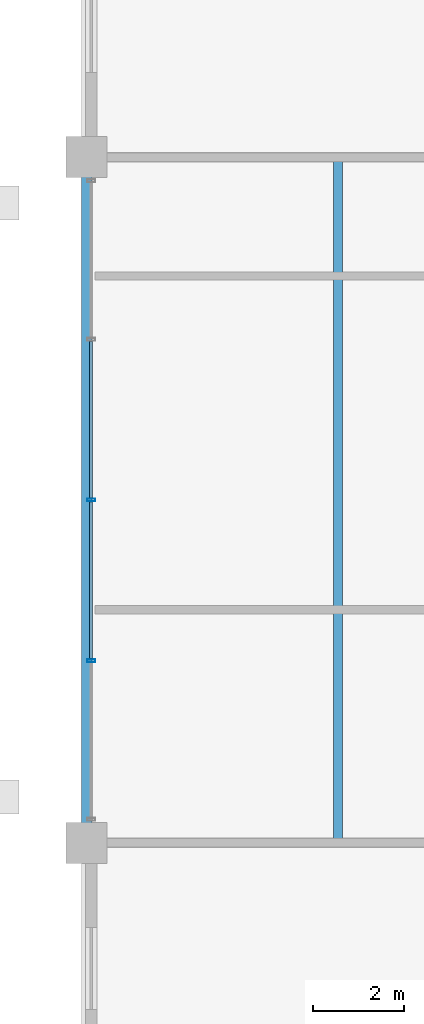
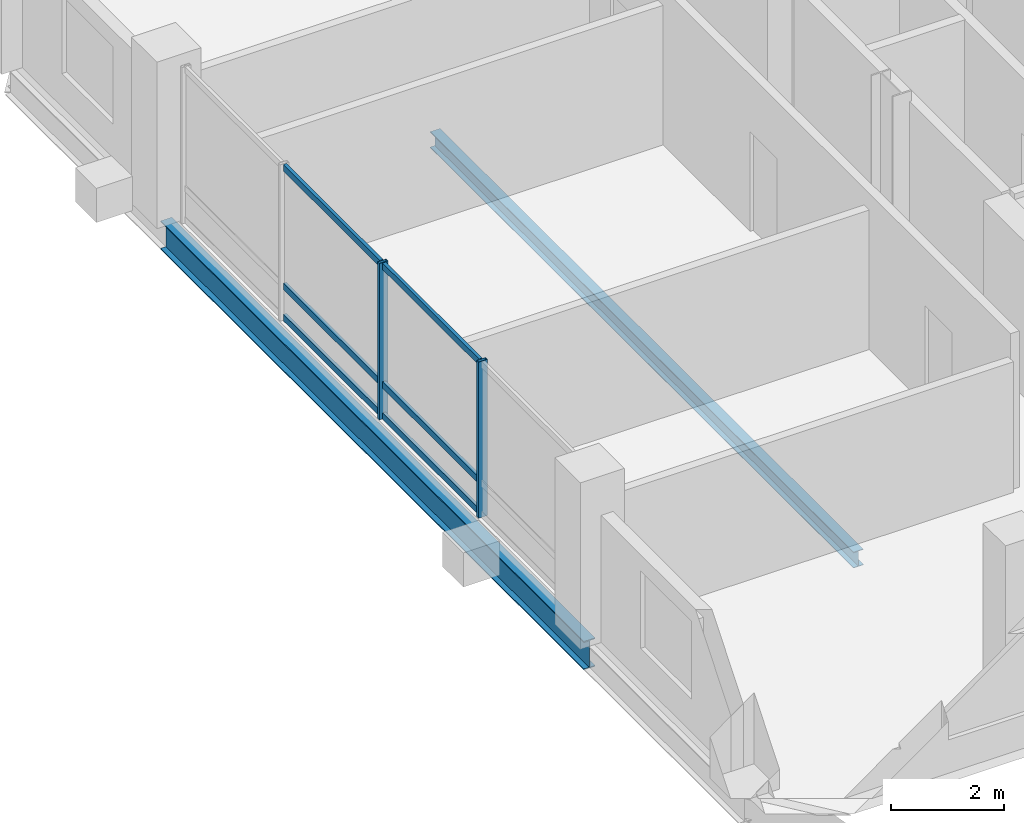
# One storey, part 6 of 21: 8 members, 2 beams, 1 element without a shape of its own.
"""IFC4 building model written with IfcOpenShell, lengths in metres."""

from ifc_helpers import new_model, si_unit, direction, frame, origin, origin_2d, place, context, subcontext, project, spatial, hollow_rectangle, i_section, extrude, material, layer, layer_set, material_profile, profile_set, type_object, element, aggregate, save


model = new_model("IFC4")

# Units and contexts
model_context = context("Model", 3, precision=1e-05, world=origin(), true_north=direction((0.0, 1.0)))
body_context = subcontext(model_context, "Body", "Model", "MODEL_VIEW")
ifc_project = project(units=[si_unit("LENGTHUNIT", "METRE"), si_unit("AREAUNIT", "SQUARE_METRE"), si_unit("VOLUMEUNIT", "CUBIC_METRE"), si_unit("PLANEANGLEUNIT", "RADIAN"), si_unit("MASSUNIT", "GRAM", prefix="KILO")], contexts=[model_context])

# Site, building, storey
site_placement = place(None, origin())
site = spatial("IfcSite", under=ifc_project, at=site_placement, CompositionType="ELEMENT")
building_placement = place(site_placement, origin())
building = spatial("IfcBuilding", under=site, at=building_placement, Name="Barlavira Tower and Art Museum", CompositionType="ELEMENT")
storey_placement = place(building_placement, frame((0.0, 0.0, 233.10009765625)))
storey = spatial("IfcBuildingStorey", under=building, at=storey_placement, Name="L60", CompositionType="ELEMENT", Elevation=233.10009765625)

# Curtain wall, members
ifc_material_1 = material(Name="Low-iron coastal laminated glass", Category="glass")
ifc_layer = layer(ifc_material_1, 0.2099609375, Name="Low-iron coastal laminated glass")
ifc_layer_set = layer_set([ifc_layer], Name="Low-iron coastal laminated glass")
curtain_wall_type = type_object("IfcCurtainWallType", Name="Pale-Metal Unitised Curtain Wall Zone 4", PredefinedType="NOTDEFINED", material=ifc_layer_set)
curtain_wall_placement = place(storey_placement, origin())
curtain_wall = element("IfcCurtainWall", 1, at=curtain_wall_placement, inside=storey, type_object=curtain_wall_type, Name="L60 Curtain Wall CW4-L60-W-B3", PredefinedType="NOTDEFINED")
ifc_material_2 = material(Name="Pale anodised aluminium", Category="aluminium")
ifc_material_profile_1 = material_profile(ifc_material_2, hollow_rectangle(XDim=0.06494140625, YDim=0.179931640625, WallThickness=0.00390625, at=origin_2d()), Name="ALU-MULL 65x180x4")
ifc_profile_set_1 = profile_set([ifc_material_profile_1], Name="Pale anodised aluminium")
member_type_1 = type_object("IfcMemberType", Name="Curtain Wall Pale-Metal Mullion 65x180", PredefinedType="MULLION", material=ifc_profile_set_1)
member_1_placement = place(storey_placement, frame((-16.89990234375, 0.0, 0.0), z_axis=(0.0, 0.0, 1.0), x_axis=(0.0, -1.0, 0.0)))
member_1 = element("IfcMember", 2, at=member_1_placement, type_object=member_type_1, Name="CW4-L60-W-B3 Mullion 2", PredefinedType="MULLION", context=body_context, shape_type="SweptSolid", body=[
    extrude(hollow_rectangle(XDim=0.06494140625, YDim=0.179931640625, WallThickness=0.00390625, at=origin_2d()), origin(), (0.0, 0.0, 1.0), 3.3798828125),
])
member_2_placement = place(storey_placement, frame((-16.89990234375, -3.514892578125, 0.0), z_axis=(0.0, 0.0, 1.0), x_axis=(0.0, -1.0, 0.0)))
member_2 = element("IfcMember", 3, at=member_2_placement, type_object=member_type_1, Name="CW4-L60-W-B3 Mullion 3", PredefinedType="MULLION", context=body_context, shape_type="SweptSolid", body=[
    extrude(hollow_rectangle(XDim=0.06494140625, YDim=0.179931640625, WallThickness=0.00390625, at=origin_2d()), origin(), (0.0, 0.0, 1.0), 3.3798828125),
])
ifc_material_profile_2 = material_profile(ifc_material_2, hollow_rectangle(XDim=0.06494140625, YDim=0.139892578125, WallThickness=0.00390625, at=origin_2d()), Name="ALU-TRAN 65x140x4")
ifc_profile_set_2 = profile_set([ifc_material_profile_2], Name="Pale anodised aluminium")
member_type_2 = type_object("IfcMemberType", Name="Curtain Wall Pale-Metal Transom 65x140", PredefinedType="USERDEFINED", material=ifc_profile_set_2)
member_3_placement = place(storey_placement, frame((-16.89990234375, 3.469970703125, 0.06982421875), z_axis=(0.0, -1.0, 0.0), x_axis=(1.0, 0.0, 0.0)))
member_3 = element("IfcMember", 4, at=member_3_placement, type_object=member_type_2, Name="CW4-L60-W-B3 Transom 1.1", ObjectType="TRANSOM", PredefinedType="USERDEFINED", context=body_context, shape_type="SweptSolid", body=[
    extrude(hollow_rectangle(XDim=0.06494140625, YDim=0.139892578125, WallThickness=0.00390625, at=origin_2d()), origin(), (0.0, 0.0, 1.0), 3.425048828125),
])
member_4_placement = place(storey_placement, frame((-16.89990234375, 3.469970703125, 0.743896484375), z_axis=(0.0, -1.0, 0.0), x_axis=(1.0, 0.0, 0.0)))
member_4 = element("IfcMember", 5, at=member_4_placement, type_object=member_type_2, Name="CW4-L60-W-B3 Transom 1.2", ObjectType="TRANSOM", PredefinedType="USERDEFINED", context=body_context, shape_type="SweptSolid", body=[
    extrude(hollow_rectangle(XDim=0.06494140625, YDim=0.139892578125, WallThickness=0.00390625, at=origin_2d()), origin(), (0.0, 0.0, 1.0), 3.425048828125),
])
member_5_placement = place(storey_placement, frame((-16.89990234375, 3.469970703125, 3.309814453125), z_axis=(0.0, -1.0, 0.0), x_axis=(1.0, 0.0, 0.0)))
member_5 = element("IfcMember", 6, at=member_5_placement, type_object=member_type_2, Name="CW4-L60-W-B3 Transom 1.3", ObjectType="TRANSOM", PredefinedType="USERDEFINED", context=body_context, shape_type="SweptSolid", body=[
    extrude(hollow_rectangle(XDim=0.06494140625, YDim=0.139892578125, WallThickness=0.00390625, at=origin_2d()), origin(), (0.0, 0.0, 1.0), 3.425048828125),
])
member_6_placement = place(storey_placement, frame((-16.89990234375, -0.044921875, 0.06982421875), z_axis=(0.0, -1.0, 0.0), x_axis=(1.0, 0.0, 0.0)))
member_6 = element("IfcMember", 7, at=member_6_placement, type_object=member_type_2, Name="CW4-L60-W-B3 Transom 2.1", ObjectType="TRANSOM", PredefinedType="USERDEFINED", context=body_context, shape_type="SweptSolid", body=[
    extrude(hollow_rectangle(XDim=0.06494140625, YDim=0.139892578125, WallThickness=0.00390625, at=origin_2d()), origin(), (0.0, 0.0, 1.0), 3.425048828125),
])
member_7_placement = place(storey_placement, frame((-16.89990234375, -0.044921875, 0.743896484375), z_axis=(0.0, -1.0, 0.0), x_axis=(1.0, 0.0, 0.0)))
member_7 = element("IfcMember", 8, at=member_7_placement, type_object=member_type_2, Name="CW4-L60-W-B3 Transom 2.2", ObjectType="TRANSOM", PredefinedType="USERDEFINED", context=body_context, shape_type="SweptSolid", body=[
    extrude(hollow_rectangle(XDim=0.06494140625, YDim=0.139892578125, WallThickness=0.00390625, at=origin_2d()), origin(), (0.0, 0.0, 1.0), 3.425048828125),
])
member_8_placement = place(storey_placement, frame((-16.89990234375, -0.044921875, 3.309814453125), z_axis=(0.0, -1.0, 0.0), x_axis=(1.0, 0.0, 0.0)))
member_8 = element("IfcMember", 9, at=member_8_placement, type_object=member_type_2, Name="CW4-L60-W-B3 Transom 2.3", ObjectType="TRANSOM", PredefinedType="USERDEFINED", context=body_context, shape_type="SweptSolid", body=[
    extrude(hollow_rectangle(XDim=0.06494140625, YDim=0.139892578125, WallThickness=0.00390625, at=origin_2d()), origin(), (0.0, 0.0, 1.0), 3.425048828125),
])
aggregate(curtain_wall, [member_1, member_2, member_3, member_4, member_5, member_6, member_7, member_8])

# Beams
ifc_material_3 = material(Name="Steel S355", Category="steel")
ifc_material_profile_3 = material_profile(ifc_material_3, i_section(OverallWidth=0.22998046875, OverallDepth=0.616943359375, WebThickness=0.01318359375, FlangeThickness=0.022216796875, at=origin_2d()), Name="W610x140.0")
ifc_profile_set_3 = profile_set([ifc_material_profile_3], Name="Steel S355")
beam_type_1 = type_object("IfcBeamType", Name="Upper Shaft Spandrel Edge Beam W610x140 Steel S355", PredefinedType="SPANDREL", material=ifc_profile_set_3)
beam_1_placement = place(storey_placement, frame((-17.0, -7.5, -0.528564453125), z_axis=(0.0, 1.0, 0.0), x_axis=(-1.0, 0.0, 0.0)))
element("IfcBeam", 10, at=beam_1_placement, inside=storey, type_object=beam_type_1, Name="L60 Spandrel 14", PredefinedType="SPANDREL", context=body_context, shape_type="SweptSolid", body=[
    extrude(i_section(OverallWidth=0.22998046875, OverallDepth=0.616943359375, WebThickness=0.01318359375, FlangeThickness=0.022216796875, at=origin_2d()), origin(), (0.0, 0.0, 1.0), 15.0),
])
ifc_material_profile_4 = material_profile(ifc_material_3, i_section(OverallWidth=0.202880859375, OverallDepth=0.346923828125, WebThickness=0.0078125, FlangeThickness=0.013427734375, at=origin_2d()), Name="W360x64.0")
ifc_profile_set_4 = profile_set([ifc_material_profile_4], Name="Steel S355")
beam_type_2 = type_object("IfcBeamType", Name="Zone 4 Composite Floor Joist W360x64 Steel S355", PredefinedType="JOIST", material=ifc_profile_set_4)
beam_2_placement = place(storey_placement, frame((-11.5, -7.5, -0.3935546875), z_axis=(0.0, 1.0, 0.0), x_axis=(-1.0, 0.0, 0.0)))
element("IfcBeam", 11, at=beam_2_placement, inside=storey, type_object=beam_type_2, Name="L60 Joist W1", PredefinedType="JOIST", context=body_context, shape_type="SweptSolid", body=[
    extrude(i_section(OverallWidth=0.202880859375, OverallDepth=0.346923828125, WebThickness=0.0078125, FlangeThickness=0.013427734375, at=origin_2d()), origin(), (0.0, 0.0, 1.0), 15.0),
])

save(model, "model.ifc")
